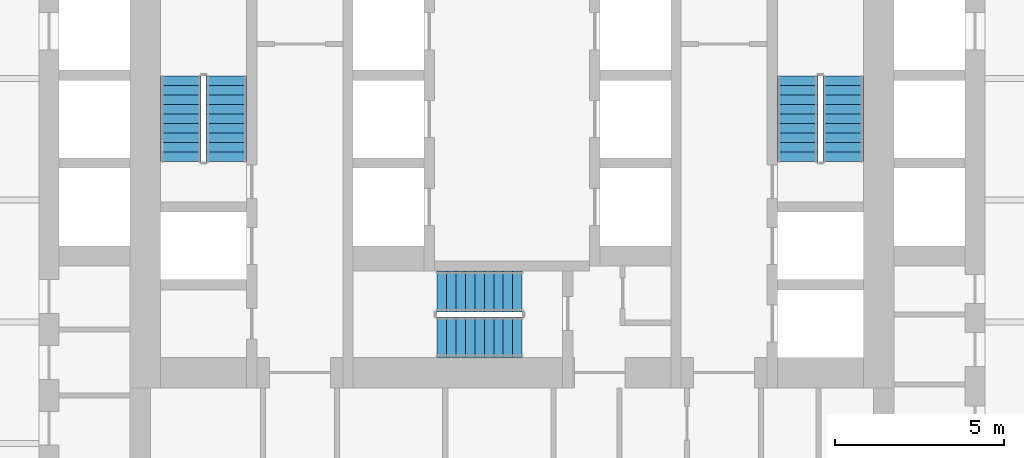
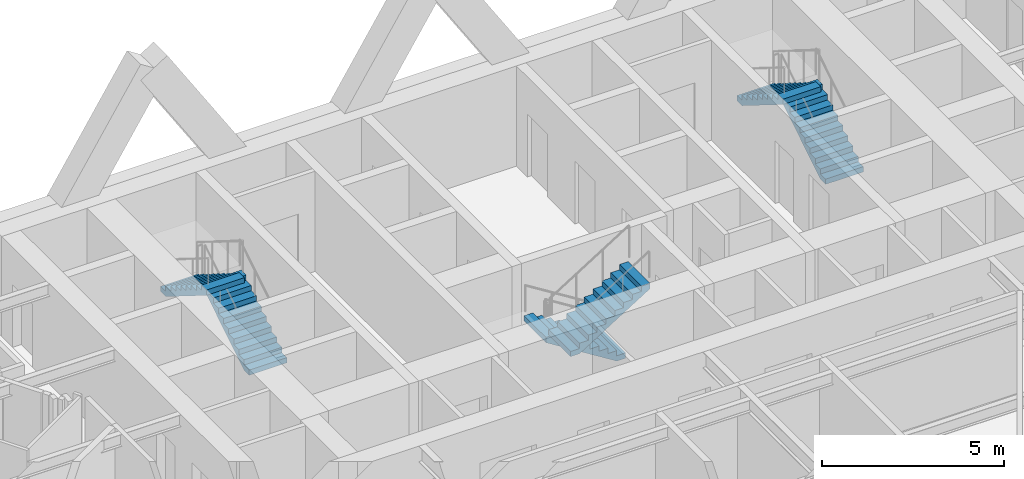
# One storey, part 9 of 11: 6 stair flights, 3 elements without a shape of their own.
"""IFC4 building model written with IfcOpenShell, lengths in metres."""

from ifc_helpers import new_model, si_unit, direction, frame, origin, place, context, subcontext, project, spatial, polyline, outline, extrude, material, type_object, element, aggregate, save


model = new_model("IFC4")

# Units and contexts
model_context = context("Model", 3, precision=1e-05, world=origin(), true_north=direction((0.0, 1.0)))
body_context = subcontext(model_context, "Body", "Model", "MODEL_VIEW")
ifc_project = project(units=[si_unit("LENGTHUNIT", "METRE"), si_unit("AREAUNIT", "SQUARE_METRE"), si_unit("VOLUMEUNIT", "CUBIC_METRE"), si_unit("PLANEANGLEUNIT", "RADIAN"), si_unit("MASSUNIT", "GRAM", prefix="KILO")], contexts=[model_context])

# Site, building, storey
site_placement = place(None, origin())
site = spatial("IfcSite", under=ifc_project, at=site_placement, CompositionType="ELEMENT")
building_placement = place(site_placement, origin())
building = spatial("IfcBuilding", under=site, at=building_placement, Name="Aloe Facet Convention Tower", CompositionType="ELEMENT")
storey_placement = place(building_placement, frame((0.0, 0.0, 63.0)))
storey = spatial("IfcBuildingStorey", under=building, at=storey_placement, Name="L14", CompositionType="ELEMENT", Elevation=63.0)

# Stair, stair flights
ifc_material_1 = material(Name="Concrete C50/60", Category="concrete")
stair_type = type_object("IfcStairType", Name="CR-ST-20R", PredefinedType="HALF_TURN_STAIR", material=ifc_material_1)
stair_1_placement = place(storey_placement, origin())
stair_1 = element("IfcStair", 1, at=stair_1_placement, inside=storey, type_object=stair_type, Name="L14 Protected exit stair ST1", PredefinedType="HALF_TURN_STAIR")
ifc_material_2 = material(Name="Concrete C50/60", Category="concrete")
stair_flight_type = type_object("IfcStairFlightType", Name="CR-SFL-20R", PredefinedType="STRAIGHT", material=ifc_material_2)
stair_flight_1_placement = place(storey_placement, frame((71.550048828125, 128.949951171875, 0.0), z_axis=(0.0, 0.0, 1.0), x_axis=(0.0, 1.0, 0.0)))
stair_flight_1 = element("IfcStairFlight", 2, at=stair_flight_1_placement, type_object=stair_flight_type, Name="ST1 flight 1", NumberOfRisers=10, NumberOfTreads=9, PredefinedType="STRAIGHT", RiserHeight=0.175, TreadLength=0.28, context=body_context, shape_type="SweptSolid", body=[
    extrude(outline(polyline([(0.0, 0.0), (0.0, 0.175048828125), (0.280029296875, 0.175048828125), (0.280029296875, 0.35009765625), (0.56005859375, 0.35009765625), (0.56005859375, 0.52490234375), (0.840087890625, 0.52490234375), (0.840087890625, 0.699951171875), (1.1201171875, 0.699951171875), (1.1201171875, 0.875), (1.39990234375, 0.875), (1.39990234375, 1.050048828125), (1.679931640625, 1.050048828125), (1.679931640625, 1.22509765625), (1.9599609375, 1.22509765625), (1.9599609375, 1.39990234375), (2.239990234375, 1.39990234375), (2.239990234375, 1.574951171875), (2.52001953125, 1.574951171875), (2.52001953125, 1.75), (2.52001953125, 1.398193359375), (0.28271484375, 0.0), (0.0, 0.0)])), frame((0.0, 0.60009765625, 0.0), z_axis=(0.0, -1.0, 0.0), x_axis=(1.0, 0.0, 0.0)), (0.0, 0.0, 1.0), 1.199951171875),
])
stair_flight_2_placement = place(storey_placement, frame((70.199951171875, 131.469970703125, 1.75), z_axis=(0.0, 0.0, 1.0), x_axis=(0.0, -1.0, 0.0)))
stair_flight_2 = element("IfcStairFlight", 3, at=stair_flight_2_placement, type_object=stair_flight_type, Name="ST1 flight 2", NumberOfRisers=10, NumberOfTreads=9, PredefinedType="STRAIGHT", RiserHeight=0.175, TreadLength=0.28, context=body_context, shape_type="SweptSolid", body=[
    extrude(outline(polyline([(0.0, 0.0), (0.0, 0.175048828125), (0.280029296875, 0.175048828125), (0.280029296875, 0.35009765625), (0.56005859375, 0.35009765625), (0.56005859375, 0.52490234375), (0.840087890625, 0.52490234375), (0.840087890625, 0.699951171875), (1.1201171875, 0.699951171875), (1.1201171875, 0.875), (1.39990234375, 0.875), (1.39990234375, 1.050048828125), (1.679931640625, 1.050048828125), (1.679931640625, 1.22509765625), (1.9599609375, 1.22509765625), (1.9599609375, 1.39990234375), (2.239990234375, 1.39990234375), (2.239990234375, 1.574951171875), (2.52001953125, 1.574951171875), (2.52001953125, 1.75), (2.52001953125, 1.398193359375), (0.28271484375, 0.0), (0.0, 0.0)])), frame((0.0, 0.60009765625, 0.0), z_axis=(0.0, -1.0, 0.0), x_axis=(1.0, 0.0, 0.0)), (0.0, 0.0, 1.0), 1.199951171875),
])
aggregate(stair_1, [stair_flight_1, stair_flight_2])

stair_2_placement = place(storey_placement, origin())
stair_2 = element("IfcStair", 4, at=stair_2_placement, inside=storey, type_object=stair_type, Name="L14 Protected exit stair ST2", PredefinedType="HALF_TURN_STAIR")
stair_flight_3_placement = place(storey_placement, frame((89.800048828125, 128.949951171875, 0.0), z_axis=(0.0, 0.0, 1.0), x_axis=(0.0, 1.0, 0.0)))
stair_flight_3 = element("IfcStairFlight", 5, at=stair_flight_3_placement, type_object=stair_flight_type, Name="ST2 flight 1", NumberOfRisers=10, NumberOfTreads=9, PredefinedType="STRAIGHT", RiserHeight=0.175, TreadLength=0.28, context=body_context, shape_type="SweptSolid", body=[
    extrude(outline(polyline([(0.0, 0.0), (0.0, 0.175048828125), (0.280029296875, 0.175048828125), (0.280029296875, 0.35009765625), (0.56005859375, 0.35009765625), (0.56005859375, 0.52490234375), (0.840087890625, 0.52490234375), (0.840087890625, 0.699951171875), (1.1201171875, 0.699951171875), (1.1201171875, 0.875), (1.39990234375, 0.875), (1.39990234375, 1.050048828125), (1.679931640625, 1.050048828125), (1.679931640625, 1.22509765625), (1.9599609375, 1.22509765625), (1.9599609375, 1.39990234375), (2.239990234375, 1.39990234375), (2.239990234375, 1.574951171875), (2.52001953125, 1.574951171875), (2.52001953125, 1.75), (2.52001953125, 1.398193359375), (0.28271484375, 0.0), (0.0, 0.0)])), frame((0.0, 0.60009765625, 0.0), z_axis=(0.0, -1.0, 0.0), x_axis=(1.0, 0.0, 0.0)), (0.0, 0.0, 1.0), 1.199951171875),
])
stair_flight_4_placement = place(storey_placement, frame((88.449951171875, 131.469970703125, 1.75), z_axis=(0.0, 0.0, 1.0), x_axis=(0.0, -1.0, 0.0)))
stair_flight_4 = element("IfcStairFlight", 6, at=stair_flight_4_placement, type_object=stair_flight_type, Name="ST2 flight 2", NumberOfRisers=10, NumberOfTreads=9, PredefinedType="STRAIGHT", RiserHeight=0.175, TreadLength=0.28, context=body_context, shape_type="SweptSolid", body=[
    extrude(outline(polyline([(0.0, 0.0), (0.0, 0.175048828125), (0.280029296875, 0.175048828125), (0.280029296875, 0.35009765625), (0.56005859375, 0.35009765625), (0.56005859375, 0.52490234375), (0.840087890625, 0.52490234375), (0.840087890625, 0.699951171875), (1.1201171875, 0.699951171875), (1.1201171875, 0.875), (1.39990234375, 0.875), (1.39990234375, 1.050048828125), (1.679931640625, 1.050048828125), (1.679931640625, 1.22509765625), (1.9599609375, 1.22509765625), (1.9599609375, 1.39990234375), (2.239990234375, 1.39990234375), (2.239990234375, 1.574951171875), (2.52001953125, 1.574951171875), (2.52001953125, 1.75), (2.52001953125, 1.398193359375), (0.28271484375, 0.0), (0.0, 0.0)])), frame((0.0, 0.60009765625, 0.0), z_axis=(0.0, -1.0, 0.0), x_axis=(1.0, 0.0, 0.0)), (0.0, 0.0, 1.0), 1.199951171875),
])
aggregate(stair_2, [stair_flight_3, stair_flight_4])

stair_3_placement = place(storey_placement, origin())
stair_3 = element("IfcStair", 7, at=stair_3_placement, inside=storey, type_object=stair_type, Name="L14 Protected exit stair ST3", PredefinedType="HALF_TURN_STAIR")
stair_flight_5_placement = place(storey_placement, frame((80.300048828125, 125.10009765625, 0.0), z_axis=(0.0, 0.0, 1.0), x_axis=(-1.0, 0.0, 0.0)))
stair_flight_5 = element("IfcStairFlight", 8, at=stair_flight_5_placement, type_object=stair_flight_type, Name="ST3 flight 1", NumberOfRisers=10, NumberOfTreads=9, PredefinedType="STRAIGHT", RiserHeight=0.175, TreadLength=0.28, context=body_context, shape_type="SweptSolid", body=[
    extrude(outline(polyline([(0.0, 0.0), (0.0, 0.175048828125), (0.280029296875, 0.175048828125), (0.280029296875, 0.35009765625), (0.56005859375, 0.35009765625), (0.56005859375, 0.52490234375), (0.840087890625, 0.52490234375), (0.840087890625, 0.699951171875), (1.1201171875, 0.699951171875), (1.1201171875, 0.875), (1.39990234375, 0.875), (1.39990234375, 1.050048828125), (1.679931640625, 1.050048828125), (1.679931640625, 1.22509765625), (1.9599609375, 1.22509765625), (1.9599609375, 1.39990234375), (2.239990234375, 1.39990234375), (2.239990234375, 1.574951171875), (2.52001953125, 1.574951171875), (2.52001953125, 1.75), (2.52001953125, 1.398193359375), (0.28271484375, 0.0), (0.0, 0.0)])), frame((0.0, 0.60009765625, 0.0), z_axis=(0.0, -1.0, 0.0), x_axis=(1.0, 0.0, 0.0)), (0.0, 0.0, 1.0), 1.199951171875),
])
stair_flight_6_placement = place(storey_placement, frame((77.780029296875, 123.75, 1.75), z_axis=(0.0, 0.0, 1.0), x_axis=(1.0, 0.0, 0.0)))
stair_flight_6 = element("IfcStairFlight", 9, at=stair_flight_6_placement, type_object=stair_flight_type, Name="ST3 flight 2", NumberOfRisers=10, NumberOfTreads=9, PredefinedType="STRAIGHT", RiserHeight=0.175, TreadLength=0.28, context=body_context, shape_type="SweptSolid", body=[
    extrude(outline(polyline([(0.0, 0.0), (0.0, 0.175048828125), (0.280029296875, 0.175048828125), (0.280029296875, 0.35009765625), (0.56005859375, 0.35009765625), (0.56005859375, 0.52490234375), (0.840087890625, 0.52490234375), (0.840087890625, 0.699951171875), (1.1201171875, 0.699951171875), (1.1201171875, 0.875), (1.39990234375, 0.875), (1.39990234375, 1.050048828125), (1.679931640625, 1.050048828125), (1.679931640625, 1.22509765625), (1.9599609375, 1.22509765625), (1.9599609375, 1.39990234375), (2.239990234375, 1.39990234375), (2.239990234375, 1.574951171875), (2.52001953125, 1.574951171875), (2.52001953125, 1.75), (2.52001953125, 1.398193359375), (0.28271484375, 0.0), (0.0, 0.0)])), frame((0.0, 0.60009765625, 0.0), z_axis=(0.0, -1.0, 0.0), x_axis=(1.0, 0.0, 0.0)), (0.0, 0.0, 1.0), 1.199951171875),
])
aggregate(stair_3, [stair_flight_5, stair_flight_6])

save(model, "model.ifc")
